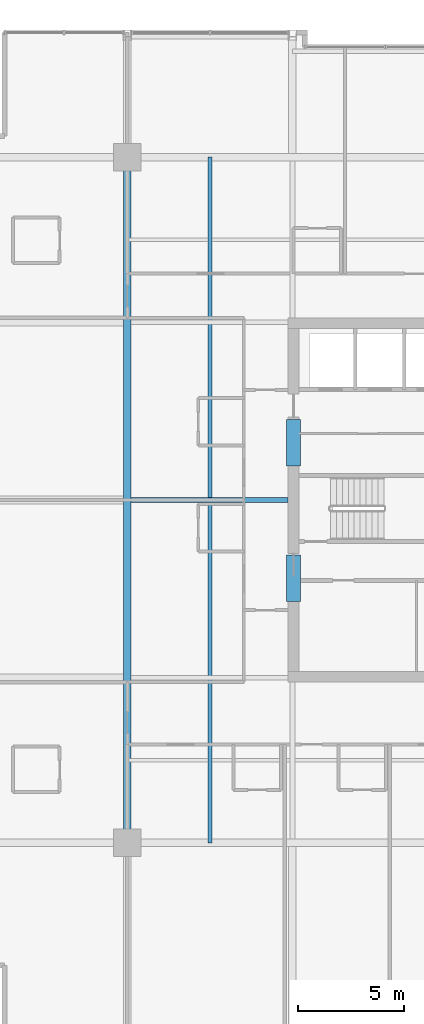
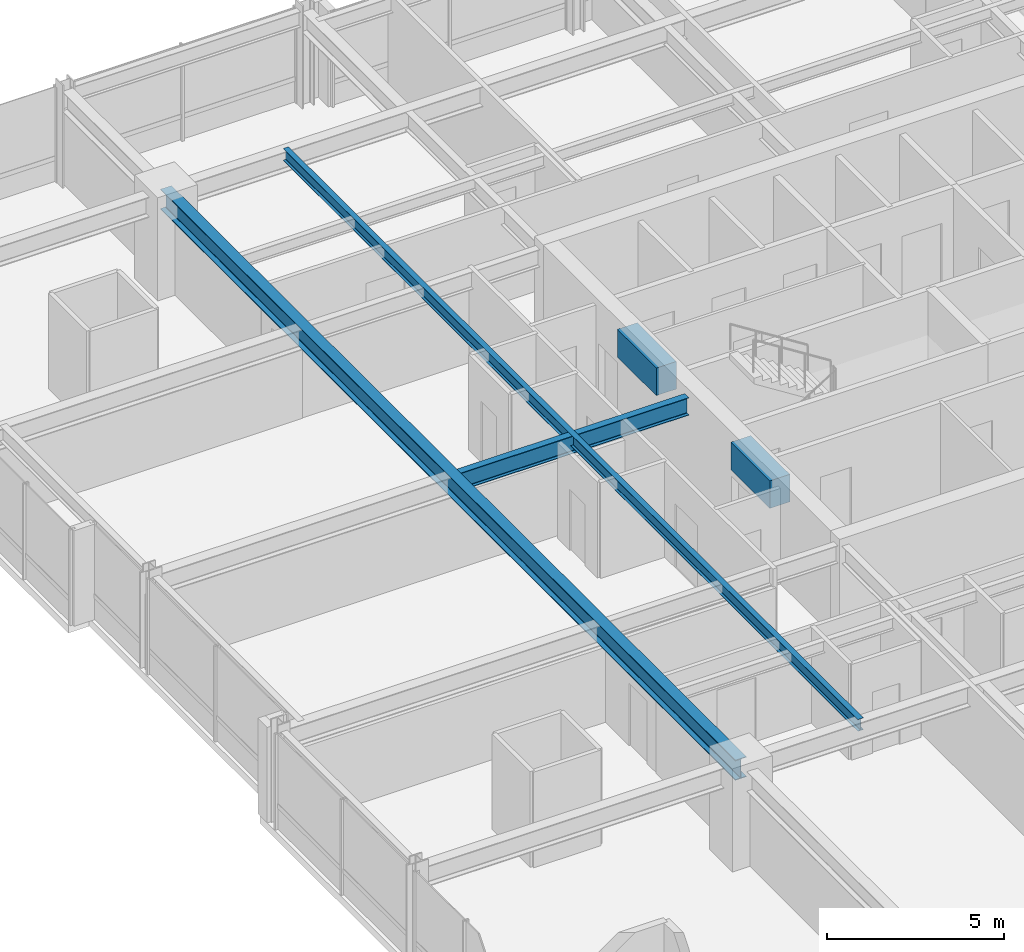
# One storey, part 10 of 33: 5 beams.
"""IFC4 building model written with IfcOpenShell, lengths in metres."""

from ifc_helpers import new_model, si_unit, direction, frame, origin, origin_2d, place, context, subcontext, project, spatial, rectangle, i_section, extrude, material, material_profile, profile_set, type_object, element, save


model = new_model("IFC4")

# Units and contexts
model_context = context("Model", 3, precision=1e-05, world=origin(), true_north=direction((0.0, 1.0)))
body_context = subcontext(model_context, "Body", "Model", "MODEL_VIEW")
ifc_project = project(units=[si_unit("LENGTHUNIT", "METRE"), si_unit("AREAUNIT", "SQUARE_METRE"), si_unit("VOLUMEUNIT", "CUBIC_METRE"), si_unit("PLANEANGLEUNIT", "RADIAN"), si_unit("MASSUNIT", "GRAM", prefix="KILO")], contexts=[model_context])

# Site, building, storey
site_placement = place(None, origin())
site = spatial("IfcSite", under=ifc_project, at=site_placement, CompositionType="ELEMENT")
building_placement = place(site_placement, origin())
building = spatial("IfcBuilding", under=site, at=building_placement, Name="Drelvath Grand Hotel", CompositionType="ELEMENT")
storey_placement = place(building_placement, frame((0.0, 0.0, 178.800048828125)))
storey = spatial("IfcBuildingStorey", under=building, at=storey_placement, Name="L46", CompositionType="ELEMENT", Elevation=178.800048828125)

# Beams
ifc_material_1 = material(Name="Steel ASTM A992 Gr 50", Category="steel")
ifc_material_profile_1 = material_profile(ifc_material_1, i_section(OverallWidth=0.177734375, OverallDepth=0.40673828125, WebThickness=0.0078125, FlangeThickness=0.0126953125, FilletRadius=0.014892578125, at=origin_2d()), Name="W16X40")
ifc_profile_set_1 = profile_set([ifc_material_profile_1], Name="Steel ASTM A992 Gr 50")
beam_type_1 = type_object("IfcBeamType", Name="Composite Floor Joist W16X40", PredefinedType="JOIST", material=ifc_profile_set_1)
beam_1_placement = place(storey_placement, frame((-12.300048828125, 10.800048828125, 3.086669921875), z_axis=(0.0, 1.0, 0.0), x_axis=(-1.0, 0.0, 0.0)))
element("IfcBeam", 1, at=beam_1_placement, inside=storey, type_object=beam_type_1, Name="L46 Wing Floor Joist J3", PredefinedType="JOIST", context=body_context, shape_type="SweptSolid", body=[
    extrude(i_section(OverallWidth=0.177734375, OverallDepth=0.40673828125, WebThickness=0.0078125, FlangeThickness=0.0126953125, FilletRadius=0.014892578125, at=origin_2d()), origin(), (0.0, 0.0, 1.0), 32.39990234375),
])
ifc_material_2 = material(Name="Concrete f'c 55 MPa", Category="concrete")
ifc_material_profile_2 = material_profile(ifc_material_2, rectangle(XDim=0.64990234375, YDim=0.949951171875, at=origin_2d()), Name="CB650X950")
ifc_profile_set_2 = profile_set([ifc_material_profile_2], Name="Concrete f'c 55 MPa")
beam_type_2 = type_object("IfcBeamType", Name="Core Coupling Lintel CB650X950", PredefinedType="LINTEL", material=ifc_profile_set_2)
for number, where, z_axis, x_axis, name in (
    (2, (-8.35009765625, 22.199951171875, 2.81494140625), (0.0, 1.0, 0.0), (-1.0, 0.0, 0.0), "L46 Core Coupling Lintel WS"),
    (3, (-8.35009765625, 28.60009765625, 2.81494140625), (0.0, 1.0, 0.0), (-1.0, 0.0, 0.0), "L46 Core Coupling Lintel WN"),
):
    element("IfcBeam", number, at=place(storey_placement, frame(where, z_axis=z_axis, x_axis=x_axis)), inside=storey, type_object=beam_type_2, Name=name, PredefinedType="LINTEL", context=body_context, shape_type="SweptSolid", body=[
        extrude(rectangle(XDim=0.64990234375, YDim=0.949951171875, at=origin_2d()), origin(), (0.0, 0.0, 1.0), 2.199951171875),
    ])
ifc_material_profile_3 = material_profile(ifc_material_1, i_section(OverallWidth=0.228271484375, OverallDepth=0.607666015625, WebThickness=0.01123046875, FlangeThickness=0.017333984375, FilletRadius=0.02001953125, at=origin_2d()), Name="W24X76")
ifc_profile_set_3 = profile_set([ifc_material_profile_3], Name="Steel ASTM A992 Gr 50")
beam_type_3 = type_object("IfcBeamType", Name="Primary Floor Girder W24X76", PredefinedType="BEAM", material=ifc_profile_set_3)
beam_2_placement = place(storey_placement, frame((-16.022705078125, 27.0, 2.986083984375), z_axis=(1.0, 0.0, 0.0), x_axis=(0.0, 1.0, 0.0)))
element("IfcBeam", 4, at=beam_2_placement, inside=storey, type_object=beam_type_3, Name="L46 West Core Tie E", PredefinedType="BEAM", context=body_context, shape_type="SweptSolid", body=[
    extrude(i_section(OverallWidth=0.228271484375, OverallDepth=0.607666015625, WebThickness=0.01123046875, FlangeThickness=0.017333984375, FilletRadius=0.02001953125, at=origin_2d()), origin(), (0.0, 0.0, 1.0), 7.422607421875),
])
ifc_material_profile_4 = material_profile(ifc_material_1, i_section(OverallWidth=0.354736328125, OverallDepth=0.695556640625, WebThickness=0.015380859375, FlangeThickness=0.025146484375, FilletRadius=0.02392578125, at=origin_2d()), Name="W27X146")
ifc_profile_set_4 = profile_set([ifc_material_profile_4], Name="Steel ASTM A992 Gr 50")
beam_type_4 = type_object("IfcBeamType", Name="Primary Floor Girder W27X146", PredefinedType="BEAM", material=ifc_profile_set_4)
beam_3_placement = place(storey_placement, frame((-16.199951171875, 10.800048828125, 2.942138671875), z_axis=(0.0, 1.0, 0.0), x_axis=(-1.0, 0.0, 0.0)))
element("IfcBeam", 5, at=beam_3_placement, inside=storey, type_object=beam_type_4, Name="L46 Mega Ring Girder West", PredefinedType="BEAM", context=body_context, shape_type="SweptSolid", body=[
    extrude(i_section(OverallWidth=0.354736328125, OverallDepth=0.695556640625, WebThickness=0.015380859375, FlangeThickness=0.025146484375, FilletRadius=0.02392578125, at=origin_2d()), origin(), (0.0, 0.0, 1.0), 32.39990234375),
])

save(model, "model.ifc")
